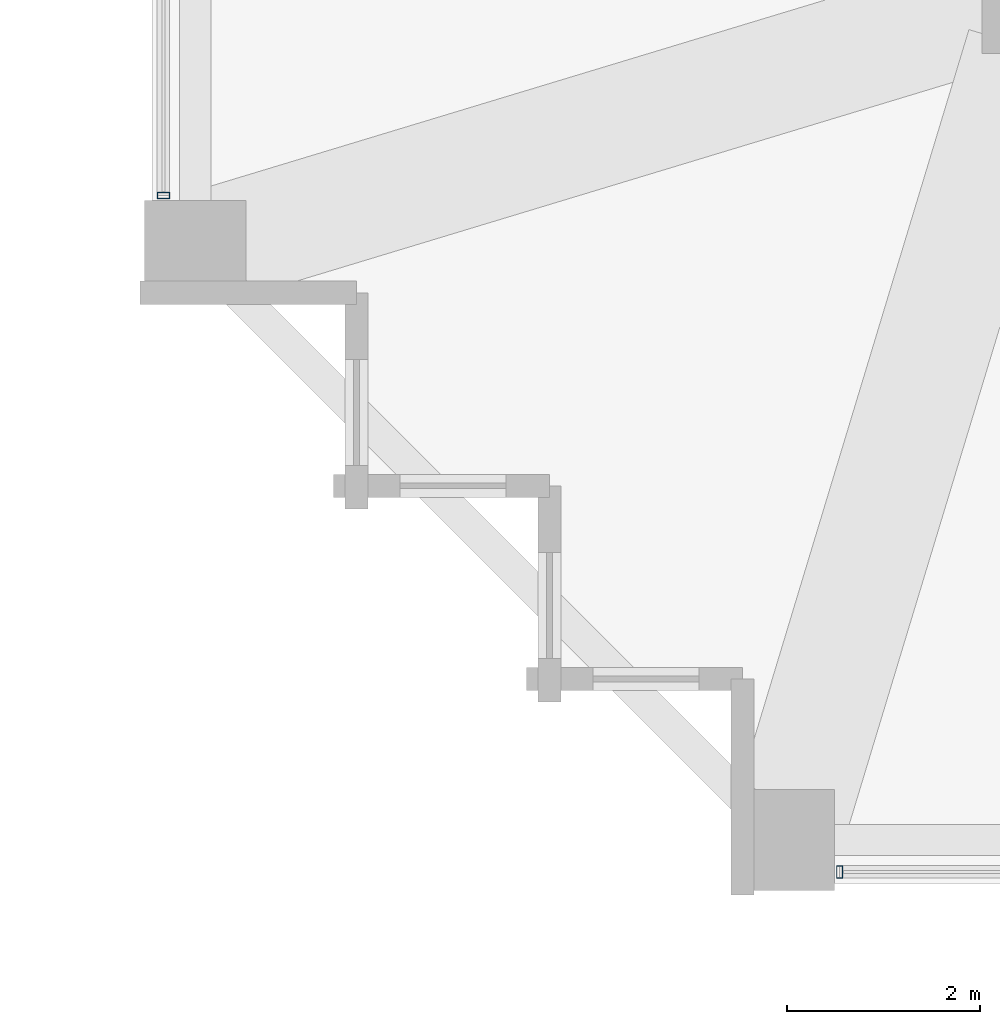
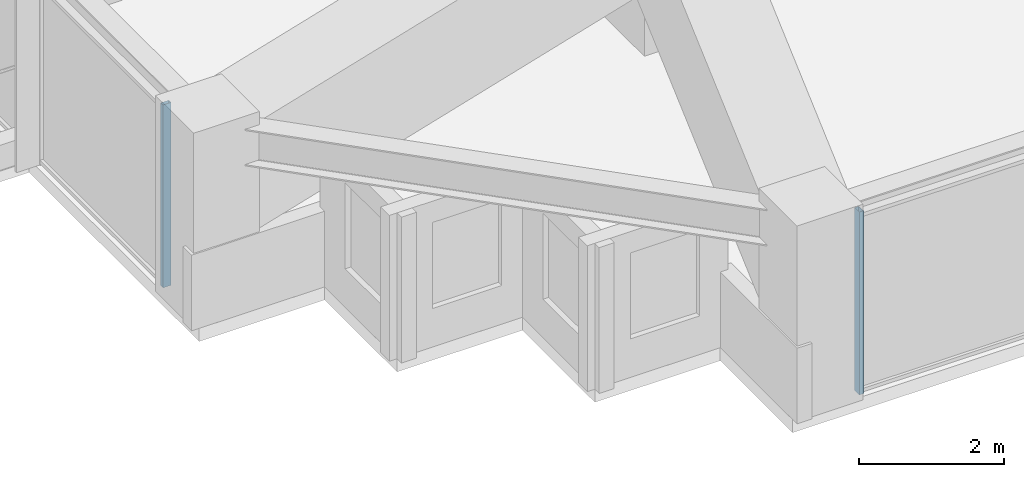
# One storey, part 2 of 36: 2 members, 2 elements without a shape of their own.
"""IFC4 building model written with IfcOpenShell, lengths in metres."""

from ifc_helpers import new_model, si_unit, direction, frame, origin, origin_2d, place, context, subcontext, project, spatial, hollow_rectangle, extrude, material, material_profile, profile_set, type_object, element, aggregate, save


model = new_model("IFC4")

# Units and contexts
model_context = context("Model", 3, precision=1e-05, world=origin(), true_north=direction((0.0, 1.0)))
body_context = subcontext(model_context, "Body", "Model", "MODEL_VIEW")
ifc_project = project(units=[si_unit("LENGTHUNIT", "METRE"), si_unit("AREAUNIT", "SQUARE_METRE"), si_unit("VOLUMEUNIT", "CUBIC_METRE"), si_unit("PLANEANGLEUNIT", "RADIAN"), si_unit("MASSUNIT", "GRAM", prefix="KILO")], contexts=[model_context])

# Site, building, storey
site_placement = place(None, origin())
site = spatial("IfcSite", under=ifc_project, at=site_placement, CompositionType="ELEMENT")
building_placement = place(site_placement, origin())
building = spatial("IfcBuilding", under=site, at=building_placement, Name="Kolvaren Belvedere", CompositionType="ELEMENT")
storey_placement = place(building_placement, frame((0.0, 0.0, 108.5)))
storey = spatial("IfcBuildingStorey", under=building, at=storey_placement, Name="L31", CompositionType="ELEMENT", Elevation=108.5)

# Curtain wall, member
ifc_material_1 = material(Name="Anodised pale-metal aluminium AA 6063-T6", Category="aluminium")
curtain_wall_type = type_object("IfcCurtainWallType", Name="CW-Z3-WAIST", PredefinedType="NOTDEFINED", material=ifc_material_1)
curtain_wall_1_placement = place(storey_placement, origin())
curtain_wall_1 = element("IfcCurtainWall", 1, at=curtain_wall_1_placement, inside=storey, type_object=curtain_wall_type, Name="L31 Unitised Curtain Wall FCW-L31-S-B3", PredefinedType="NOTDEFINED")
ifc_material_2 = material(Name="Anodised pale-metal aluminium AA 6063-T6", Category="aluminium")
ifc_material_profile = material_profile(ifc_material_2, hollow_rectangle(XDim=0.06494140625, YDim=0.1298828125, WallThickness=0.00390625, at=origin_2d()), Name="ALU-MUL-130X65")
ifc_profile_set = profile_set([ifc_material_profile], Name="Anodised pale-metal aluminium AA 6063-T6")
member_type = type_object("IfcMemberType", Name="CW-MUL-130", PredefinedType="MULLION", material=ifc_profile_set)
member_1_placement = place(storey_placement, frame((-11.972412109375, -18.97998046875, 0.0), z_axis=(0.0, 0.0, 1.0), x_axis=(1.0, 0.0, 0.0)))
member_1 = element("IfcMember", 2, at=member_1_placement, type_object=member_type, Name="FCW-L31-S-B3 Unitised Mullion 3", PredefinedType="MULLION", context=body_context, shape_type="SweptSolid", body=[
    extrude(hollow_rectangle(XDim=0.06494140625, YDim=0.1298828125, WallThickness=0.00390625, at=origin_2d()), origin(), (0.0, 0.0, 1.0), 3.080078125),
])
aggregate(curtain_wall_1, [member_1])

curtain_wall_2_placement = place(storey_placement, origin())
curtain_wall_2 = element("IfcCurtainWall", 3, at=curtain_wall_2_placement, inside=storey, type_object=curtain_wall_type, Name="L31 Unitised Curtain Wall FCW-L31-W1-B1", PredefinedType="NOTDEFINED")
member_2_placement = place(storey_placement, frame((-18.97998046875, -11.972412109375, 0.0), z_axis=(0.0, 0.0, 1.0), x_axis=(0.0, 1.0, 0.0)))
member_2 = element("IfcMember", 4, at=member_2_placement, type_object=member_type, Name="FCW-L31-W1-B1 Unitised Mullion 1", PredefinedType="MULLION", context=body_context, shape_type="SweptSolid", body=[
    extrude(hollow_rectangle(XDim=0.06494140625, YDim=0.1298828125, WallThickness=0.00390625, at=origin_2d()), origin(), (0.0, 0.0, 1.0), 3.080078125),
])
aggregate(curtain_wall_2, [member_2])

save(model, "model.ifc")
